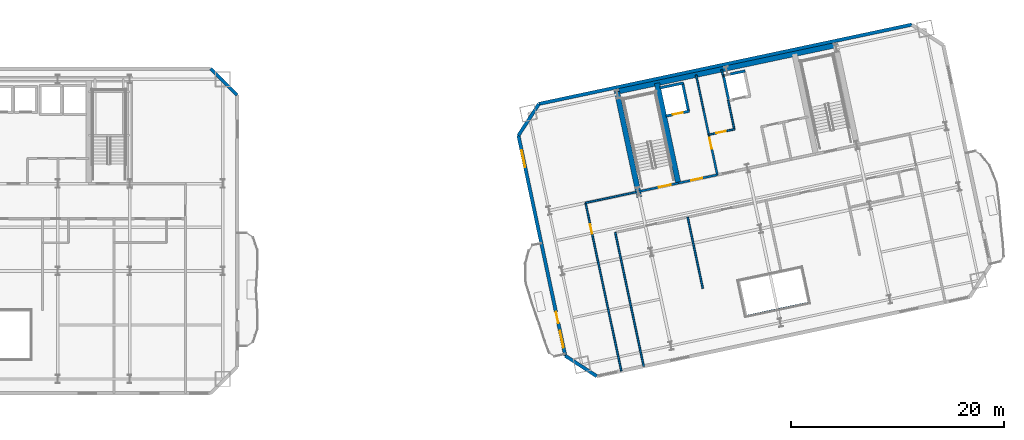
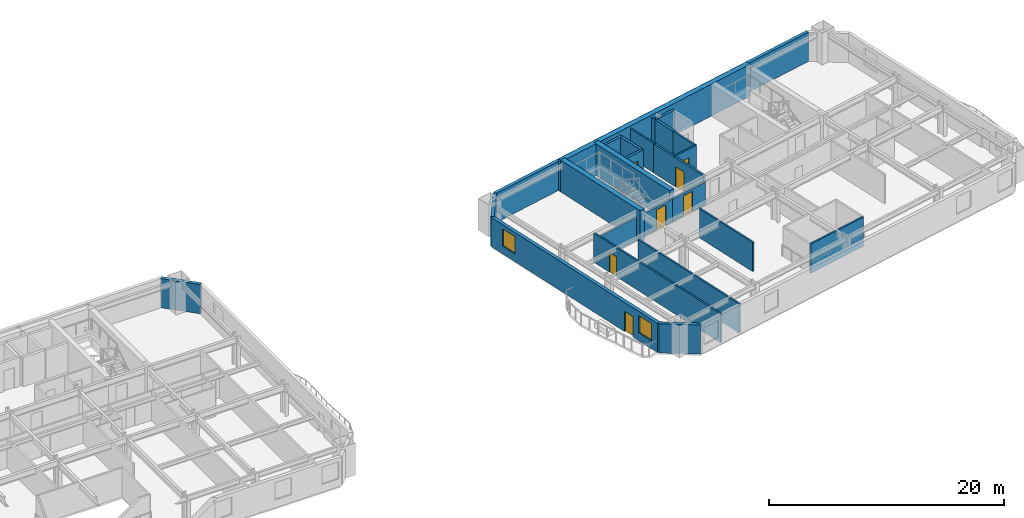
# One storey, part 7 of 13: 25 walls, 7 doors, 2 windows, 9 openings.
"""IFC4 building model written with IfcOpenShell, lengths in metres."""

from ifc_helpers import new_model, si_unit, direction, frame, frame_2d, origin, place, context, subcontext, project, spatial, rectangle, extrude, material, layer, layer_set, type_object, element, fill, save


model = new_model("IFC4")

# Units and contexts
model_context = context("Model", 3, precision=1e-05, world=origin(), true_north=direction((0.0, 1.0)))
body_context = subcontext(model_context, "Body", "Model", "MODEL_VIEW")
ifc_project = project(units=[si_unit("LENGTHUNIT", "METRE"), si_unit("AREAUNIT", "SQUARE_METRE"), si_unit("VOLUMEUNIT", "CUBIC_METRE"), si_unit("PLANEANGLEUNIT", "RADIAN"), si_unit("MASSUNIT", "GRAM", prefix="KILO")], contexts=[model_context])

# Site, building, storey
site_placement = place(None, origin())
site = spatial("IfcSite", under=ifc_project, at=site_placement, CompositionType="ELEMENT")
building_placement = place(site_placement, origin())
building = spatial("IfcBuilding", under=site, at=building_placement, Name="Haevon Station Towers", CompositionType="ELEMENT")
storey_placement = place(building_placement, frame((0.0, 0.0, 99.89990234375)))
storey = spatial("IfcBuildingStorey", under=building, at=storey_placement, Name="L26", CompositionType="ELEMENT", Elevation=99.89990234375)

# Wall, opening, door
ifc_material_1 = material(Name="Gypsum board on steel stud", Category="steel")
ifc_layer_1 = layer(ifc_material_1, 0.199951171875)
ifc_layer_set_1 = layer_set([ifc_layer_1], Name="Gypsum board on steel stud")
wall_type_1 = type_object("IfcWallType", Name="WL-COR200", PredefinedType="PARTITIONING", material=ifc_layer_set_1)
wall_1_placement = place(storey_placement, frame((98.75244140625, 37.4423828125, 0.0), z_axis=(0.0, 0.0, 1.0), x_axis=(0.978143537786, 0.207930804564, 0.0)))
wall_1 = element("IfcWall", 1, at=wall_1_placement, inside=storey, type_object=wall_type_1, Name="WL-ST-ST3-L26", PredefinedType="PARTITIONING", context=body_context, shape_type="SweptSolid", body=[
    extrude(rectangle(XDim=3.85009765625, YDim=0.199951171875, at=frame_2d((1.925048828125, 0.0))), origin(), (0.0, 0.0, 1.0), 2.380126953125),
])
opening_1_placement = place(wall_1_placement, frame((2.0, 0.0, 0.0)))
opening_1 = element("IfcOpeningElement", 2, at=opening_1_placement, cuts=wall_1, Name="Opening DR-ST-ST3-L26", PredefinedType="OPENING", context=body_context, shape_type="SweptSolid", body=[
    extrude(rectangle(XDim=1.1201171875, YDim=2.10009765625, at=frame_2d((0.56005859375, 1.050048828125))), frame((0.0, 0.10986328125, 0.0), z_axis=(0.0, -1.0, 0.0), x_axis=(1.0, 0.0, 0.0)), (0.0, 0.0, 1.0), 0.219970703125),
])
ifc_material_2 = material(Name="Engineered oak timber", Category="wood")
door_type_1 = type_object("IfcDoorType", Name="DR-ST-1120", OperationType="NOTDEFINED", PredefinedType="DOOR", material=ifc_material_2)
door_1_placement = place(opening_1_placement, origin())
door_1 = element("IfcDoor", 3, at=door_1_placement, inside=storey, type_object=door_type_1, Name="L26 Escape Stair ST3 Fire Door", OperationType="SINGLE_SWING_LEFT", OverallHeight=2.10009765625, OverallWidth=1.1201171875, PredefinedType="DOOR", context=body_context, shape_type="SweptSolid", body=[
    extrude(rectangle(XDim=1.1201171875, YDim=2.10009765625, at=frame_2d((0.56005859375, 1.050048828125))), frame((0.0, 0.02490234375, 0.0), z_axis=(0.0, -1.0, 0.0), x_axis=(1.0, 0.0, 0.0)), (0.0, 0.0, 1.0), 0.050048828125),
])
fill(opening_1, door_1)

wall_2_placement = place(storey_placement, frame((106.186279296875, 39.0224609375, 0.0), z_axis=(0.0, 0.0, 1.0), x_axis=(-0.207916691923, 0.978146537703, 0.0)))
wall_2 = element("IfcWall", 4, at=wall_2_placement, inside=storey, type_object=wall_type_1, Name="WL-T2FFL-L26-E", PredefinedType="PARTITIONING", context=body_context, shape_type="SweptSolid", body=[
    extrude(rectangle(XDim=6.35009765625, YDim=0.199951171875, at=frame_2d((3.175048828125, 0.0))), origin(), (0.0, 0.0, 1.0), 3.030029296875),
])
opening_2_placement = place(wall_2_placement, frame((2.52001953125, 0.0, 0.0)))
opening_2 = element("IfcOpeningElement", 5, at=opening_2_placement, cuts=wall_2, Name="Opening DR-T2FFL-L26-E", PredefinedType="OPENING", context=body_context, shape_type="SweptSolid", body=[
    extrude(rectangle(XDim=1.050048828125, YDim=2.10009765625, at=frame_2d((0.52490234375, 1.050048828125))), frame((0.0, 0.10986328125, 0.0), z_axis=(0.0, -1.0, 0.0), x_axis=(1.0, 0.0, 0.0)), (0.0, 0.0, 1.0), 0.219970703125),
])
door_type_2 = type_object("IfcDoorType", Name="DR-FD60-1050", OperationType="NOTDEFINED", PredefinedType="DOOR", material=ifc_material_2)
door_2_placement = place(opening_2_placement, origin())
door_2 = element("IfcDoor", 6, at=door_2_placement, inside=storey, type_object=door_type_2, Name="L26 Tower 2 Firefighting Lift Lobby Door E", OperationType="SINGLE_SWING_LEFT", OverallHeight=2.10009765625, OverallWidth=1.050048828125, PredefinedType="DOOR", context=body_context, shape_type="SweptSolid", body=[
    extrude(rectangle(XDim=1.050048828125, YDim=2.10009765625, at=frame_2d((0.52490234375, 1.050048828125))), frame((0.0, 0.02490234375, 0.0), z_axis=(0.0, -1.0, 0.0), x_axis=(1.0, 0.0, 0.0)), (0.0, 0.0, 1.0), 0.050048828125),
])
fill(opening_2, door_2)

wall_3_placement = place(storey_placement, frame((102.518310546875, 38.242919921875, 0.0), z_axis=(0.0, 0.0, 1.0), x_axis=(0.978153555683, 0.20788367301, 0.0)))
wall_3 = element("IfcWall", 7, at=wall_3_placement, inside=storey, type_object=wall_type_1, Name="WL-T2FFL-L26-S", PredefinedType="PARTITIONING", context=body_context, shape_type="SweptSolid", body=[
    extrude(rectangle(XDim=3.75, YDim=0.199951171875, at=frame_2d((1.875, 0.0))), origin(), (0.0, 0.0, 1.0), 2.380126953125),
])
opening_3_placement = place(wall_3_placement, frame((1.25, 0.0, 0.0)))
opening_3 = element("IfcOpeningElement", 8, at=opening_3_placement, cuts=wall_3, Name="Opening DR-T2FFL-L26-S", PredefinedType="OPENING", context=body_context, shape_type="SweptSolid", body=[
    extrude(rectangle(XDim=1.050048828125, YDim=2.10009765625, at=frame_2d((0.52490234375, 1.050048828125))), frame((0.0, 0.10986328125, 0.0), z_axis=(0.0, -1.0, 0.0), x_axis=(1.0, 0.0, 0.0)), (0.0, 0.0, 1.0), 0.219970703125),
])
door_3_placement = place(opening_3_placement, origin())
door_3 = element("IfcDoor", 9, at=door_3_placement, inside=storey, type_object=door_type_2, Name="L26 Tower 2 Firefighting Lift Lobby Door S", OperationType="SINGLE_SWING_RIGHT", OverallHeight=2.10009765625, OverallWidth=1.050048828125, PredefinedType="DOOR", context=body_context, shape_type="SweptSolid", body=[
    extrude(rectangle(XDim=1.050048828125, YDim=2.10009765625, at=frame_2d((0.52490234375, 1.050048828125))), frame((0.0, 0.02490234375, 0.0), z_axis=(0.0, -1.0, 0.0), x_axis=(1.0, 0.0, 0.0)), (0.0, 0.0, 1.0), 0.050048828125),
])
fill(opening_3, door_3)

# Walls
ifc_material_3 = material(Name="Concrete C60/75", Category="concrete")
ifc_layer_2 = layer(ifc_material_3, 0.5)
ifc_layer_set_2 = layer_set([ifc_layer_2], Name="Concrete C60/75")
wall_type_2 = type_object("IfcWallType", Name="WL-CR500", PredefinedType="SHEAR", material=ifc_layer_set_2)
wall_4_placement = place(storey_placement, frame((96.511962890625, 46.78076171875, 0.0), z_axis=(0.0, 0.0, 1.0), x_axis=(0.978148546782, 0.207907239961, 0.0)))
element("IfcWall", 10, at=wall_4_placement, inside=storey, type_object=wall_type_2, Name="WL-T2CR-L26-N", PredefinedType="SHEAR", context=body_context, shape_type="SweptSolid", body=[
    extrude(rectangle(XDim=21.499755859375, YDim=0.5, at=frame_2d((10.75, 0.0))), origin(), (0.0, 0.0, 1.0), 3.300048828125),
])
wall_5_placement = place(storey_placement, frame((98.8603515625, 36.933837890625, 0.0), z_axis=(0.0, 0.0, 1.0), x_axis=(-0.20790924889, 0.978148119778, 0.0)))
element("IfcWall", 11, at=wall_5_placement, inside=storey, type_object=wall_type_2, Name="WL-T2CR-L26-W", PredefinedType="SHEAR", context=body_context, shape_type="SweptSolid", body=[
    extrude(rectangle(XDim=10.119873046875, YDim=0.5, at=frame_2d((5.06005859375, 0.0))), origin(), (0.0, 0.0, 1.0), 3.300048828125),
])
wall_6_placement = place(storey_placement, frame((102.518310546875, 38.242919921875, 0.0), z_axis=(0.0, 0.0, 1.0), x_axis=(-0.207927495108, 0.978144241295, 0.0)))
element("IfcWall", 12, at=wall_6_placement, inside=storey, type_object=wall_type_2, Name="WL-T2CR-L26-M1", PredefinedType="SHEAR", context=body_context, shape_type="SweptSolid", body=[
    extrude(rectangle(XDim=9.599853515625, YDim=0.5, at=frame_2d((4.7998046875, 0.0))), origin(), (0.0, 0.0, 1.0), 3.300048828125),
])
ifc_material_4 = material(Name="Precast concrete C45/55", Category="concrete")
ifc_layer_3 = layer(ifc_material_4, 0.320068359375)
ifc_layer_set_3 = layer_set([ifc_layer_3], Name="Precast concrete C45/55")
wall_type_3 = type_object("IfcWallType", Name="WL-EXT-PIER320", PredefinedType="SOLIDWALL", material=ifc_layer_set_3)
for number, where, z_axis, x_axis, name in (
    (13, (58.60009765625, 49.0, 0.0), (0.0, 0.0, 1.0), (0.707106781187, -0.707106781187, 0.0), "WL-T1-L26-NEC"),
    (14, (94.871826171875, 20.106689453125, 0.0), (0.0, 0.0, 1.0), (-0.838640767148, 0.544684921471, 0.0), "WL-T2-L26-SWC"),
):
    element("IfcWall", number, at=place(storey_placement, frame(where, z_axis=z_axis, x_axis=x_axis)), inside=storey, type_object=wall_type_3, Name=name, PredefinedType="SOLIDWALL", context=body_context, shape_type="SweptSolid", body=[
        extrude(rectangle(XDim=3.53564453125, YDim=0.320068359375, at=frame_2d((1.767822265625, 0.0))), origin(), (0.0, 0.0, 1.0), 3.030029296875),
    ])

# Wall, openings, door, windows
wall_7_placement = place(storey_placement, frame((91.90673828125, 22.032470703125, 0.0), z_axis=(0.0, 0.0, 1.0), x_axis=(-0.207918258146, 0.978146204782, 0.0)))
wall_7 = element("IfcWall", 15, at=wall_7_placement, inside=storey, type_object=wall_type_3, Name="WL-T2-L26-W", PredefinedType="SOLIDWALL", context=body_context, shape_type="SweptSolid", body=[
    extrude(rectangle(XDim=21.14990234375, YDim=0.320068359375, at=frame_2d((10.574951171875, 0.0))), origin(), (0.0, 0.0, 1.0), 3.030029296875),
])
opening_4_placement = place(wall_7_placement, frame((3.14990234375, 0.0, 0.0)))
opening_4 = element("IfcOpeningElement", 16, at=opening_4_placement, cuts=wall_7, Name="Opening DR-T2-SCAL-L26-W", PredefinedType="OPENING", context=body_context, shape_type="SweptSolid", body=[
    extrude(rectangle(XDim=1.050048828125, YDim=2.10009765625, at=frame_2d((0.52490234375, 1.050048828125))), frame((0.0, 0.169921875, 0.0), z_axis=(0.0, -1.0, 0.0), x_axis=(1.0, 0.0, 0.0)), (0.0, 0.0, 1.0), 0.340087890625),
])
opening_5_placement = place(wall_7_placement, frame((0.800048828125, 0.0, 0.800048828125)))
opening_5 = element("IfcOpeningElement", 17, at=opening_5_placement, cuts=wall_7, Name="Opening WN-END160", PredefinedType="OPENING", context=body_context, shape_type="SweptSolid", body=[
    extrude(rectangle(XDim=1.60009765625, YDim=1.800048828125, at=frame_2d((0.800048828125, 0.89990234375))), frame((0.0, 0.169921875, 0.0), z_axis=(0.0, -1.0, 0.0), x_axis=(1.0, 0.0, 0.0)), (0.0, 0.0, 1.0), 0.340087890625),
])
opening_6_placement = place(wall_7_placement, frame((18.10888671875, 0.0, 0.800048828125)))
opening_6 = element("IfcOpeningElement", 18, at=opening_6_placement, cuts=wall_7, Name="Opening WN-END160", PredefinedType="OPENING", context=body_context, shape_type="SweptSolid", body=[
    extrude(rectangle(XDim=1.60009765625, YDim=1.800048828125, at=frame_2d((0.800048828125, 0.89990234375))), frame((0.0, 0.169921875, 0.0), z_axis=(0.0, -1.0, 0.0), x_axis=(1.0, 0.0, 0.0)), (0.0, 0.0, 1.0), 0.340087890625),
])
ifc_material_5 = material(Name="Thermally broken anodised aluminium and laminated safety glass", Category="aluminium")
door_type_3 = type_object("IfcDoorType", Name="DR-BALC-1050", OperationType="NOTDEFINED", PredefinedType="DOOR", material=ifc_material_5)
door_4_placement = place(opening_4_placement, origin())
door_4 = element("IfcDoor", 19, at=door_4_placement, inside=storey, type_object=door_type_3, Name="Tower 2 L26 West Scalloped Balcony Door", OperationType="SINGLE_SWING_LEFT", OverallHeight=2.10009765625, OverallWidth=1.050048828125, PredefinedType="DOOR", context=body_context, shape_type="SweptSolid", body=[
    extrude(rectangle(XDim=1.050048828125, YDim=2.10009765625, at=frame_2d((0.52490234375, 1.050048828125))), frame((0.0, 0.02490234375, 0.0), z_axis=(0.0, -1.0, 0.0), x_axis=(1.0, 0.0, 0.0)), (0.0, 0.0, 1.0), 0.050048828125),
])
fill(opening_4, door_4)
ifc_material_6 = material(Name="Low-E triple glazing in thermally broken aluminium", Category="aluminium")
window_type = type_object("IfcWindowType", Name="WN-END160", PartitioningType="SINGLE_PANEL", PredefinedType="WINDOW", material=ifc_material_6)
window_1_placement = place(opening_5_placement, origin())
window_1 = element("IfcWindow", 20, at=window_1_placement, inside=storey, type_object=window_type, Name="WN-T2-L26-W01", OverallHeight=1.800048828125, OverallWidth=1.60009765625, PartitioningType="SINGLE_PANEL", PredefinedType="WINDOW", context=body_context, shape_type="SweptSolid", body=[
    extrude(rectangle(XDim=1.60009765625, YDim=1.800048828125, at=frame_2d((0.800048828125, 0.89990234375))), frame((0.0, 0.030029296875, 0.0), z_axis=(0.0, -1.0, 0.0), x_axis=(1.0, 0.0, 0.0)), (0.0, 0.0, 1.0), 0.06005859375),
])
fill(opening_5, window_1)
window_2_placement = place(opening_6_placement, origin())
window_2 = element("IfcWindow", 21, at=window_2_placement, inside=storey, type_object=window_type, Name="WN-T2-L26-W02", OverallHeight=1.800048828125, OverallWidth=1.60009765625, PartitioningType="SINGLE_PANEL", PredefinedType="WINDOW", context=body_context, shape_type="SweptSolid", body=[
    extrude(rectangle(XDim=1.60009765625, YDim=1.800048828125, at=frame_2d((0.800048828125, 0.89990234375))), frame((0.0, 0.030029296875, 0.0), z_axis=(0.0, -1.0, 0.0), x_axis=(1.0, 0.0, 0.0)), (0.0, 0.0, 1.0), 0.06005859375),
])
fill(opening_6, window_2)

# Walls
wall_8_placement = place(storey_placement, frame((87.50927734375, 42.72021484375, 0.0), z_axis=(0.0, 0.0, 1.0), x_axis=(0.544684921471, 0.838640767148, 0.0)))
element("IfcWall", 22, at=wall_8_placement, inside=storey, type_object=wall_type_3, Name="WL-T2-L26-NWC", PredefinedType="SOLIDWALL", context=body_context, shape_type="SweptSolid", body=[
    extrude(rectangle(XDim=3.53564453125, YDim=0.320068359375, at=frame_2d((1.767822265625, 0.0))), origin(), (0.0, 0.0, 1.0), 3.030029296875),
])
wall_9_placement = place(storey_placement, frame((89.43505859375, 45.685302734375, 0.0), z_axis=(0.0, 0.0, 1.0), x_axis=(0.978146786281, 0.207915522479, 0.0)))
element("IfcWall", 23, at=wall_9_placement, inside=storey, type_object=wall_type_3, Name="WL-T2-L26-N", PredefinedType="SOLIDWALL", context=body_context, shape_type="SweptSolid", body=[
    extrude(rectangle(XDim=35.7998046875, YDim=0.320068359375, at=frame_2d((17.89990234375, 0.0))), origin(), (0.0, 0.0, 1.0), 3.030029296875),
])
ifc_layer_4 = layer(ifc_material_1, 0.159912109375)
ifc_layer_set_4 = layer_set([ifc_layer_4], Name="Gypsum board on steel stud")
wall_type_4 = type_object("IfcWallType", Name="WL-PRT160", PredefinedType="PARTITIONING", material=ifc_layer_set_4)
wall_10_placement = place(storey_placement, frame((104.88671875, 45.135986328125, 0.0), z_axis=(0.0, 0.0, 1.0), x_axis=(-0.207846553267, 0.978161443881, 0.0)))
element("IfcWall", 24, at=wall_10_placement, inside=storey, type_object=wall_type_4, Name="WL-T2CW-L26-01", PredefinedType="PARTITIONING", context=body_context, shape_type="SweptSolid", body=[
    extrude(rectangle(XDim=3.35009765625, YDim=0.159912109375, at=frame_2d((1.675048828125, 0.0))), origin(), (0.0, 0.0, 1.0), 3.030029296875),
])

# Wall, opening, door
wall_11_placement = place(storey_placement, frame((105.3857421875, 42.788330078125, 0.0), z_axis=(0.0, 0.0, 1.0), x_axis=(0.978136559131, 0.207963630695, 0.0)))
wall_11 = element("IfcWall", 25, at=wall_11_placement, inside=storey, type_object=wall_type_4, Name="WL-T2CW-L26-02", PredefinedType="PARTITIONING", context=body_context, shape_type="SweptSolid", body=[
    extrude(rectangle(XDim=2.449951171875, YDim=0.159912109375, at=frame_2d((1.22509765625, 0.0))), origin(), (0.0, 0.0, 1.0), 3.030029296875),
])
opening_7_placement = place(wall_11_placement, frame((0.719970703125, 0.0, 0.0)))
opening_7 = element("IfcOpeningElement", 26, at=opening_7_placement, cuts=wall_11, Name="Opening DR-WL-T2CW-L26-02-1", PredefinedType="OPENING", context=body_context, shape_type="SweptSolid", body=[
    extrude(rectangle(XDim=0.89990234375, YDim=2.10009765625, at=frame_2d((0.449951171875, 1.050048828125))), frame((0.0, 0.08984375, 0.0), z_axis=(0.0, -1.0, 0.0), x_axis=(1.0, 0.0, 0.0)), (0.0, 0.0, 1.0), 0.179931640625),
])
door_type_4 = type_object("IfcDoorType", Name="DR-FD60-900", OperationType="NOTDEFINED", PredefinedType="DOOR", material=ifc_material_2)
door_5_placement = place(opening_7_placement, origin())
door_5 = element("IfcDoor", 27, at=door_5_placement, inside=storey, type_object=door_type_4, Name="L26 Tower 2 Core Room Door 2-1", OperationType="SINGLE_SWING_RIGHT", OverallHeight=2.10009765625, OverallWidth=0.89990234375, PredefinedType="DOOR", context=body_context, shape_type="SweptSolid", body=[
    extrude(rectangle(XDim=0.89990234375, YDim=2.10009765625, at=frame_2d((0.449951171875, 1.050048828125))), frame((0.0, 0.02490234375, 0.0), z_axis=(0.0, -1.0, 0.0), x_axis=(1.0, 0.0, 0.0)), (0.0, 0.0, 1.0), 0.050048828125),
])
fill(opening_7, door_5)

# Walls
wall_12_placement = place(storey_placement, frame((107.7822265625, 43.2978515625, 0.0), z_axis=(0.0, 0.0, 1.0), x_axis=(-0.207873355681, 0.978155748334, 0.0)))
element("IfcWall", 28, at=wall_12_placement, inside=storey, type_object=wall_type_4, Name="WL-T2CW-L26-03", PredefinedType="PARTITIONING", context=body_context, shape_type="SweptSolid", body=[
    extrude(rectangle(XDim=2.800048828125, YDim=0.159912109375, at=frame_2d((1.39990234375, 0.0))), origin(), (0.0, 0.0, 1.0), 3.030029296875),
])
wall_13_placement = place(storey_placement, frame((106.721923828125, 48.286376953125, 0.0), z_axis=(0.0, 0.0, 1.0), x_axis=(-0.208092352933, 0.978109182377, 0.0)))
element("IfcWall", 29, at=wall_13_placement, inside=storey, type_object=wall_type_4, Name="WL-T2CW-L26-04", PredefinedType="PARTITIONING", context=body_context, shape_type="SweptSolid", body=[
    extrude(rectangle(XDim=0.64990234375, YDim=0.159912109375, at=frame_2d((0.324951171875, 0.0))), origin(), (0.0, 0.0, 1.0), 3.030029296875),
])
wall_14_placement = place(storey_placement, frame((99.2734375, 21.04248046875, 0.0), z_axis=(0.0, 0.0, 1.0), x_axis=(-0.207910791646, 0.978147791858, 0.0)))
element("IfcWall", 30, at=wall_14_placement, inside=storey, type_object=wall_type_4, Name="WL-T2PT-L26-01", PredefinedType="PARTITIONING", context=body_context, shape_type="SweptSolid", body=[
    extrude(rectangle(XDim=12.849853515625, YDim=0.159912109375, at=frame_2d((6.4248046875, 0.0))), origin(), (0.0, 0.0, 1.0), 3.030029296875),
])
wall_15_placement = place(storey_placement, frame((93.812744140625, 36.392578125, 0.0), z_axis=(0.0, 0.0, 1.0), x_axis=(0.978154058851, 0.207881305445, 0.0)))
element("IfcWall", 31, at=wall_15_placement, inside=storey, type_object=wall_type_4, Name="WL-T2PT-L26-02", PredefinedType="PARTITIONING", context=body_context, shape_type="SweptSolid", body=[
    extrude(rectangle(XDim=5.050048828125, YDim=0.159912109375, at=frame_2d((2.52490234375, 0.0))), origin(), (0.0, 0.0, 1.0), 2.380126953125),
])

# Wall, opening, door
wall_16_placement = place(storey_placement, frame((97.17041015625, 20.595458984375, 0.0), z_axis=(0.0, 0.0, 1.0), x_axis=(-0.20790485933, 0.978149052786, 0.0)))
wall_16 = element("IfcWall", 32, at=wall_16_placement, inside=storey, type_object=wall_type_4, Name="WL-T2PT-L26-04", PredefinedType="PARTITIONING", context=body_context, shape_type="SweptSolid", body=[
    extrude(rectangle(XDim=16.14990234375, YDim=0.159912109375, at=frame_2d((8.074951171875, 0.0))), origin(), (0.0, 0.0, 1.0), 3.030029296875),
])
opening_8_placement = place(wall_16_placement, frame((13.169921875, 0.0, 0.0)))
opening_8 = element("IfcOpeningElement", 33, at=opening_8_placement, cuts=wall_16, Name="Opening DR-WL-T2PT-L26-04-01", PredefinedType="OPENING", context=body_context, shape_type="SweptSolid", body=[
    extrude(rectangle(XDim=0.89990234375, YDim=2.050048828125, at=frame_2d((0.449951171875, 1.02490234375))), frame((0.0, 0.08984375, 0.0), z_axis=(0.0, -1.0, 0.0), x_axis=(1.0, 0.0, 0.0)), (0.0, 0.0, 1.0), 0.179931640625),
])
door_type_5 = type_object("IfcDoorType", Name="DR-INT-900", OperationType="NOTDEFINED", PredefinedType="DOOR", material=ifc_material_2)
door_6_placement = place(opening_8_placement, origin())
door_6 = element("IfcDoor", 34, at=door_6_placement, inside=storey, type_object=door_type_5, Name="L26 Tower 2 Room Door 4-1", OperationType="SINGLE_SWING_LEFT", OverallHeight=2.050048828125, OverallWidth=0.89990234375, PredefinedType="DOOR", context=body_context, shape_type="SweptSolid", body=[
    extrude(rectangle(XDim=0.89990234375, YDim=2.050048828125, at=frame_2d((0.449951171875, 1.02490234375))), frame((0.0, 0.02490234375, 0.0), z_axis=(0.0, -1.0, 0.0), x_axis=(1.0, 0.0, 0.0)), (0.0, 0.0, 1.0), 0.050048828125),
])
fill(opening_8, door_6)

# Walls
wall_17_placement = place(storey_placement, frame((108.90576171875, 25.747802734375, 0.0), z_axis=(0.0, 0.0, 1.0), x_axis=(0.978144681088, 0.207925426197, 0.0)))
element("IfcWall", 35, at=wall_17_placement, inside=storey, type_object=wall_type_4, Name="WL-T2PT-L26-06", PredefinedType="PARTITIONING", context=body_context, shape_type="SweptSolid", body=[
    extrude(rectangle(XDim=6.0, YDim=0.159912109375, at=frame_2d((3.0, 0.0))), origin(), (0.0, 0.0, 1.0), 3.030029296875),
])
wall_18_placement = place(storey_placement, frame((104.822265625, 28.35595703125, 0.0), z_axis=(0.0, 0.0, 1.0), x_axis=(-0.207932073521, 0.978143268035, 0.0)))
element("IfcWall", 36, at=wall_18_placement, inside=storey, type_object=wall_type_4, Name="WL-T2PT-L26-10", PredefinedType="PARTITIONING", context=body_context, shape_type="SweptSolid", body=[
    extrude(rectangle(XDim=6.849853515625, YDim=0.159912109375, at=frame_2d((3.4248046875, 0.0))), origin(), (0.0, 0.0, 1.0), 3.030029296875),
])

# Wall, opening, door
ifc_material_7 = material(Name="Concrete C40/50", Category="concrete")
ifc_layer_5 = layer(ifc_material_7, 0.239990234375)
ifc_layer_set_5 = layer_set([ifc_layer_5], Name="Concrete C40/50")
wall_type_5 = type_object("IfcWallType", Name="WL-SHF240", PredefinedType="PARTITIONING", material=ifc_layer_set_5)
wall_19_placement = place(storey_placement, frame((101.353759765625, 44.538330078125, 0.0), z_axis=(0.0, 0.0, 1.0), x_axis=(0.978141002414, 0.207942731049, 0.0)))
wall_19 = element("IfcWall", 37, at=wall_19_placement, inside=storey, type_object=wall_type_5, Name="WL-SHF-FL2-L26", PredefinedType="PARTITIONING", context=body_context, shape_type="SweptSolid", body=[
    extrude(rectangle(XDim=2.260009765625, YDim=0.239990234375, at=frame_2d((1.1298828125, 0.0))), origin(), (0.0, 0.0, 1.0), 3.030029296875),
])
opening_9_placement = place(wall_19_placement, frame((0.655029296875, 0.0, 0.0)))
opening_9 = element("IfcOpeningElement", 38, at=opening_9_placement, cuts=wall_19, Name="Opening LD-FL2-L26", PredefinedType="OPENING", context=body_context, shape_type="SweptSolid", body=[
    extrude(rectangle(XDim=0.949951171875, YDim=2.14990234375, at=frame_2d((0.47509765625, 1.074951171875))), frame((0.0, 0.1298828125, 0.0), z_axis=(0.0, -1.0, 0.0), x_axis=(1.0, 0.0, 0.0)), (0.0, 0.0, 1.0), 0.260009765625),
])
ifc_material_8 = material(Name="Stainless steel and rated core", Category="steel")
door_type_6 = type_object("IfcDoorType", Name="LD-FL950", OperationType="SLIDING_TO_LEFT", PredefinedType="DOOR", material=ifc_material_8)
door_7_placement = place(opening_9_placement, origin())
door_7 = element("IfcDoor", 39, at=door_7_placement, inside=storey, type_object=door_type_6, Name="L26 Lift FL2 Sliding Landing Door", OperationType="SLIDING_TO_LEFT", OverallHeight=2.14990234375, OverallWidth=0.949951171875, PredefinedType="DOOR", context=body_context, shape_type="SweptSolid", body=[
    extrude(rectangle(XDim=0.949951171875, YDim=2.14990234375, at=frame_2d((0.47509765625, 1.074951171875))), frame((0.0, 0.02490234375, 0.0), z_axis=(0.0, -1.0, 0.0), x_axis=(1.0, 0.0, 0.0)), (0.0, 0.0, 1.0), 0.050048828125),
])
fill(opening_9, door_7)

# Walls
wall_20_placement = place(storey_placement, frame((100.79248046875, 47.179443359375, 0.0), z_axis=(0.0, 0.0, 1.0), x_axis=(0.978162968872, 0.207839376268, 0.0)))
element("IfcWall", 40, at=wall_20_placement, inside=storey, type_object=wall_type_5, Name="WL-SHF-FL2-L26-N", PredefinedType="PARTITIONING", context=body_context, shape_type="SweptSolid", body=[
    extrude(rectangle(XDim=2.260009765625, YDim=0.239990234375, at=frame_2d((1.1298828125, 0.0))), origin(), (0.0, 0.0, 1.0), 3.030029296875),
])
wall_21_placement = place(storey_placement, frame((103.486328125, 44.99169921875, 0.0), z_axis=(0.0, 0.0, 1.0), x_axis=(-0.207978798957, 0.978133334052, 0.0)))
element("IfcWall", 41, at=wall_21_placement, inside=storey, type_object=wall_type_5, Name="WL-SHF-FL2-L26-E", PredefinedType="PARTITIONING", context=body_context, shape_type="SweptSolid", body=[
    extrude(rectangle(XDim=2.699951171875, YDim=0.239990234375, at=frame_2d((1.35009765625, 0.0))), origin(), (0.0, 0.0, 1.0), 3.030029296875),
])
wall_22_placement = place(storey_placement, frame((106.68212890625, 48.3291015625, 0.0), z_axis=(0.0, 0.0, 1.0), x_axis=(0.978158276388, 0.207861459473, 0.0)))
element("IfcWall", 42, at=wall_22_placement, inside=storey, type_object=wall_type_5, Name="WL-SHF-PL8-L26-N", PredefinedType="PARTITIONING", context=body_context, shape_type="SweptSolid", body=[
    extrude(rectangle(XDim=2.159912109375, YDim=0.239990234375, at=frame_2d((1.080078125, 0.0))), origin(), (0.0, 0.0, 1.0), 3.030029296875),
])
wall_23_placement = place(storey_placement, frame((107.259521484375, 45.998046875, 0.0), z_axis=(0.0, 0.0, 1.0), x_axis=(-0.207917150959, 0.978146440129, 0.0)))
element("IfcWall", 43, at=wall_23_placement, inside=storey, type_object=wall_type_5, Name="WL-SHF-PL8-L26-W", PredefinedType="PARTITIONING", context=body_context, shape_type="SweptSolid", body=[
    extrude(rectangle(XDim=2.400146484375, YDim=0.239990234375, at=frame_2d((1.2001953125, 0.0))), origin(), (0.0, 0.0, 1.0), 3.030029296875),
])

save(model, "model.ifc")
